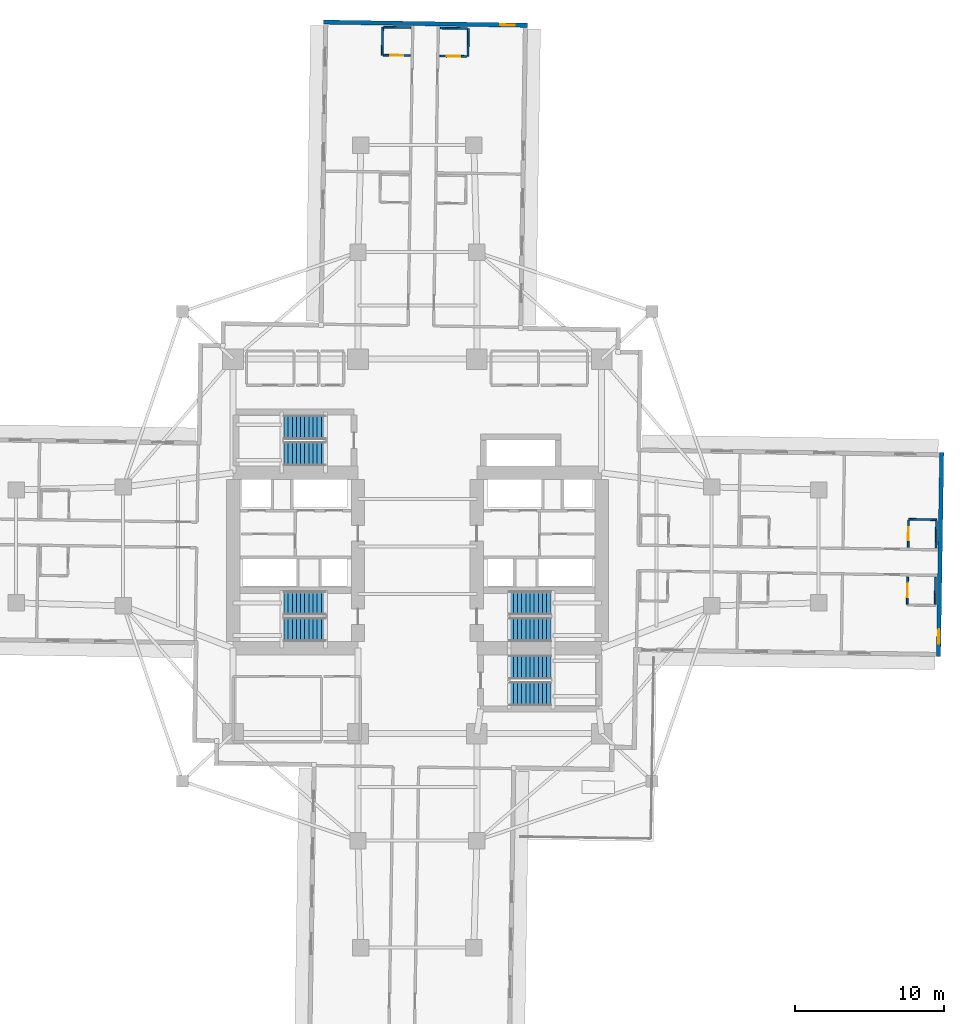
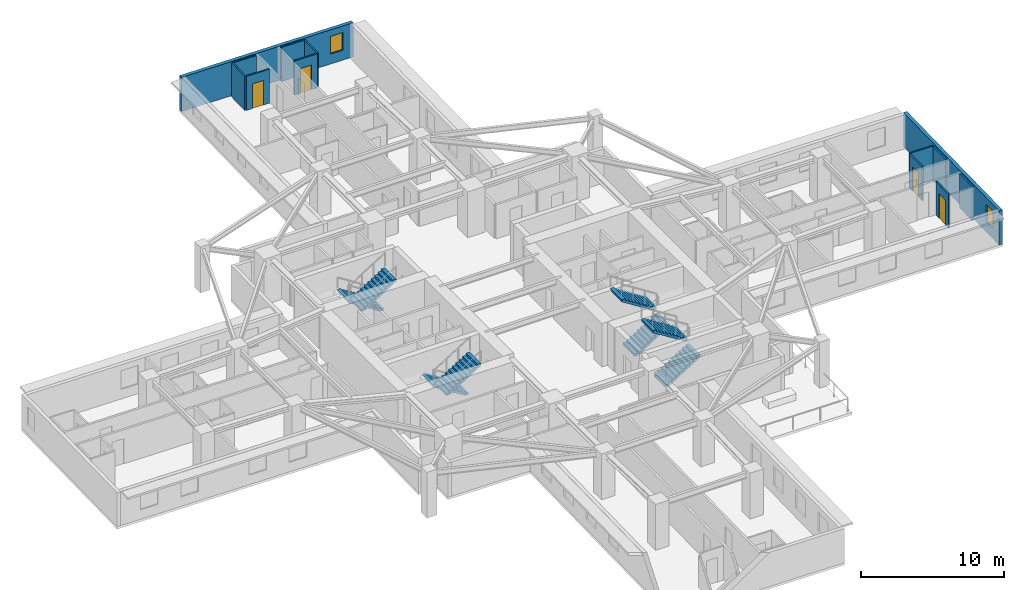
# One storey, part 8 of 13: 13 walls, 8 stair flights, 4 doors, 2 windows, 6 openings, 4 elements without a shape of their own.
"""IFC4 building model written with IfcOpenShell, lengths in metres."""

from ifc_helpers import new_model, si_unit, direction, frame, frame_2d, origin, place, context, subcontext, project, spatial, polyline, rectangle, outline, extrude, material, layer, layer_set, type_object, element, fill, aggregate, save


model = new_model("IFC4")

# Units and contexts
model_context = context("Model", 3, precision=1e-05, world=origin(), true_north=direction((0.0, 1.0)))
body_context = subcontext(model_context, "Body", "Model", "MODEL_VIEW")
ifc_project = project(units=[si_unit("LENGTHUNIT", "METRE"), si_unit("AREAUNIT", "SQUARE_METRE"), si_unit("VOLUMEUNIT", "CUBIC_METRE"), si_unit("PLANEANGLEUNIT", "RADIAN"), si_unit("MASSUNIT", "GRAM", prefix="KILO")], contexts=[model_context])

# Site, building, storey
site_placement = place(None, origin())
site = spatial("IfcSite", under=ifc_project, at=site_placement, CompositionType="ELEMENT")
building_placement = place(site_placement, origin())
building = spatial("IfcBuilding", under=site, at=building_placement, Name="Qingluan Cross Belvedere", CompositionType="ELEMENT")
storey_placement = place(building_placement, frame((0.0, 0.0, 67.800048828125)))
storey = spatial("IfcBuildingStorey", under=building, at=storey_placement, Name="L17", CompositionType="ELEMENT", Elevation=67.800048828125)

# Wall, opening, door
ifc_material_1 = material(Name="Moisture-resistant gypsum board lining")
ifc_layer_1 = layer(ifc_material_1, 0.1201171875, Name="EnsuiteWetPartition_120")
ifc_layer_set_1 = layer_set([ifc_layer_1], Name="Moisture-resistant gypsum board lining")
wall_type_1 = type_object("IfcWallType", Name="EnsuiteWetPartition_120", PredefinedType="PARTITIONING", material=ifc_layer_set_1)
wall_1_placement = place(storey_placement, frame((33.023193359375, -0.05859375, 0.0), z_axis=(0.0, 0.0, 1.0), x_axis=(0.015696442504, 0.999876803258, 0.0)))
wall_1 = element("IfcWall", 1, at=wall_1_placement, inside=storey, type_object=wall_type_1, Name="Partition L17:E:bs0_2", PredefinedType="PARTITIONING", context=body_context, shape_type="SweptSolid", body=[
    extrude(rectangle(XDim=1.81982421875, YDim=0.1201171875, at=frame_2d((0.909912109375, 0.0))), origin(), (0.0, 0.0, 1.0), 2.89990234375),
])
opening_1_placement = place(wall_1_placement, frame((0.469970703125, 0.0, 0.0)))
opening_1 = element("IfcOpeningElement", 2, at=opening_1_placement, cuts=wall_1, Name="Opening BD-09", PredefinedType="OPENING", context=body_context, shape_type="SweptSolid", body=[
    extrude(rectangle(XDim=0.8798828125, YDim=2.10009765625, at=frame_2d((0.43994140625, 1.050048828125))), frame((0.0, 0.070068359375, 0.0), z_axis=(0.0, -1.0, 0.0), x_axis=(1.0, 0.0, 0.0)), (0.0, 0.0, 1.0), 0.14013671875),
])
ifc_material_2 = material(Name="Moisture-sealed timber en-suite door", Category="wood")
door_type = type_object("IfcDoorType", Name="BathroomDoor_880", OperationType="NOTDEFINED", PredefinedType="DOOR", material=ifc_material_2)
door_1_placement = place(opening_1_placement, origin())
door_1 = element("IfcDoor", 3, at=door_1_placement, inside=storey, type_object=door_type, Name="Bathroom door 1703", OperationType="SINGLE_SWING_RIGHT", OverallHeight=2.10009765625, OverallWidth=0.8798828125, PredefinedType="DOOR", context=body_context, shape_type="SweptSolid", body=[
    extrude(rectangle(XDim=0.8798828125, YDim=2.10009765625, at=frame_2d((0.43994140625, 1.050048828125))), frame((0.0, 0.02490234375, 0.0), z_axis=(0.0, -1.0, 0.0), x_axis=(1.0, 0.0, 0.0)), (0.0, 0.0, 1.0), 0.050048828125),
])
fill(opening_1, door_1)

# Walls
wall_2_placement = place(storey_placement, frame((34.90283203125, -0.088134765625, 0.0), z_axis=(0.0, 0.0, 1.0), x_axis=(0.015696442504, 0.999876803258, 0.0)))
element("IfcWall", 4, at=wall_2_placement, inside=storey, type_object=wall_type_1, Name="Partition L17:E:bw0_2", PredefinedType="PARTITIONING", context=body_context, shape_type="SweptSolid", body=[
    extrude(rectangle(XDim=1.81982421875, YDim=0.1201171875, at=frame_2d((0.909912109375, 0.0))), origin(), (0.0, 0.0, 1.0), 2.89990234375),
])
wall_3_placement = place(storey_placement, frame((33.052734375, 1.826171875, 0.0), z_axis=(0.0, 0.0, 1.0), x_axis=(0.99987450499, -0.015842167482, 0.0)))
element("IfcWall", 5, at=wall_3_placement, inside=storey, type_object=wall_type_1, Name="Partition L17:E:bn0_2", PredefinedType="PARTITIONING", context=body_context, shape_type="SweptSolid", body=[
    extrude(rectangle(XDim=1.880126953125, YDim=0.1201171875, at=frame_2d((0.93994140625, 0.0))), origin(), (0.0, 0.0, 1.0), 2.89990234375),
])

# Wall, opening, door
wall_4_placement = place(storey_placement, frame((32.963134765625, -3.878173828125, 0.0), z_axis=(0.0, 0.0, 1.0), x_axis=(0.015696442504, 0.999876803258, 0.0)))
wall_4 = element("IfcWall", 6, at=wall_4_placement, inside=storey, type_object=wall_type_1, Name="Partition L17:E:bs1_2", PredefinedType="PARTITIONING", context=body_context, shape_type="SweptSolid", body=[
    extrude(rectangle(XDim=1.81982421875, YDim=0.1201171875, at=frame_2d((0.909912109375, 0.0))), origin(), (0.0, 0.0, 1.0), 2.89990234375),
])
opening_2_placement = place(wall_4_placement, frame((0.469970703125, 0.0, 0.0)))
opening_2 = element("IfcOpeningElement", 7, at=opening_2_placement, cuts=wall_4, Name="Opening BD-09", PredefinedType="OPENING", context=body_context, shape_type="SweptSolid", body=[
    extrude(rectangle(XDim=0.8798828125, YDim=2.10009765625, at=frame_2d((0.43994140625, 1.050048828125))), frame((0.0, 0.070068359375, 0.0), z_axis=(0.0, -1.0, 0.0), x_axis=(1.0, 0.0, 0.0)), (0.0, 0.0, 1.0), 0.14013671875),
])
door_2_placement = place(opening_2_placement, origin())
door_2 = element("IfcDoor", 8, at=door_2_placement, inside=storey, type_object=door_type, Name="Bathroom door 1706", OperationType="SINGLE_SWING_RIGHT", OverallHeight=2.10009765625, OverallWidth=0.8798828125, PredefinedType="DOOR", context=body_context, shape_type="SweptSolid", body=[
    extrude(rectangle(XDim=0.8798828125, YDim=2.10009765625, at=frame_2d((0.43994140625, 1.050048828125))), frame((0.0, 0.02490234375, 0.0), z_axis=(0.0, -1.0, 0.0), x_axis=(1.0, 0.0, 0.0)), (0.0, 0.0, 1.0), 0.050048828125),
])
fill(opening_2, door_2)

# Wall
wall_5_placement = place(storey_placement, frame((34.843017578125, -3.90771484375, 0.0), z_axis=(0.0, 0.0, 1.0), x_axis=(0.015694337248, 0.999876836305, 0.0)))
element("IfcWall", 9, at=wall_5_placement, inside=storey, type_object=wall_type_1, Name="Partition L17:E:bw1_2", PredefinedType="PARTITIONING", context=body_context, shape_type="SweptSolid", body=[
    extrude(rectangle(XDim=1.820068359375, YDim=0.1201171875, at=frame_2d((0.91015625, 0.0))), origin(), (0.0, 0.0, 1.0), 2.89990234375),
])

# Wall, opening, door
wall_6_placement = place(storey_placement, frame((1.5185546875, 33.000244140625, 0.0), z_axis=(0.0, 0.0, 1.0), x_axis=(0.999876836305, -0.015694337248, 0.0)))
wall_6 = element("IfcWall", 10, at=wall_6_placement, inside=storey, type_object=wall_type_1, Name="Partition L17:N:bs0_1", PredefinedType="PARTITIONING", context=body_context, shape_type="SweptSolid", body=[
    extrude(rectangle(XDim=1.820068359375, YDim=0.1201171875, at=frame_2d((0.91015625, 0.0))), origin(), (0.0, 0.0, 1.0), 2.89990234375),
])
opening_3_placement = place(wall_6_placement, frame((0.469970703125, 0.0, 0.0)))
opening_3 = element("IfcOpeningElement", 11, at=opening_3_placement, cuts=wall_6, Name="Opening BD-09", PredefinedType="OPENING", context=body_context, shape_type="SweptSolid", body=[
    extrude(rectangle(XDim=0.8798828125, YDim=2.10009765625, at=frame_2d((0.43994140625, 1.050048828125))), frame((0.0, 0.070068359375, 0.0), z_axis=(0.0, -1.0, 0.0), x_axis=(1.0, 0.0, 0.0)), (0.0, 0.0, 1.0), 0.14013671875),
])
door_3_placement = place(opening_3_placement, origin())
door_3 = element("IfcDoor", 12, at=door_3_placement, inside=storey, type_object=door_type, Name="Bathroom door 1712", OperationType="SINGLE_SWING_RIGHT", OverallHeight=2.10009765625, OverallWidth=0.8798828125, PredefinedType="DOOR", context=body_context, shape_type="SweptSolid", body=[
    extrude(rectangle(XDim=0.8798828125, YDim=2.10009765625, at=frame_2d((0.43994140625, 1.050048828125))), frame((0.0, 0.02490234375, 0.0), z_axis=(0.0, -1.0, 0.0), x_axis=(1.0, 0.0, 0.0)), (0.0, 0.0, 1.0), 0.050048828125),
])
fill(opening_3, door_3)

# Walls
wall_7_placement = place(storey_placement, frame((1.548095703125, 34.8798828125, 0.0), z_axis=(0.0, 0.0, 1.0), x_axis=(0.999876836305, -0.015694337248, 0.0)))
element("IfcWall", 13, at=wall_7_placement, inside=storey, type_object=wall_type_1, Name="Partition L17:N:bw0_1", PredefinedType="PARTITIONING", context=body_context, shape_type="SweptSolid", body=[
    extrude(rectangle(XDim=1.820068359375, YDim=0.1201171875, at=frame_2d((0.91015625, 0.0))), origin(), (0.0, 0.0, 1.0), 2.89990234375),
])
wall_8_placement = place(storey_placement, frame((3.4033203125, 32.970703125, 0.0), z_axis=(0.0, 0.0, 1.0), x_axis=(0.015714386166, 0.99987652141, 0.0)))
element("IfcWall", 14, at=wall_8_placement, inside=storey, type_object=wall_type_1, Name="Partition L17:N:bn0_1", PredefinedType="PARTITIONING", context=body_context, shape_type="SweptSolid", body=[
    extrude(rectangle(XDim=1.8798828125, YDim=0.1201171875, at=frame_2d((0.93994140625, 0.0))), origin(), (0.0, 0.0, 1.0), 2.89990234375),
])

# Wall, opening, door
wall_9_placement = place(storey_placement, frame((-2.301025390625, 33.060302734375, 0.0), z_axis=(0.0, 0.0, 1.0), x_axis=(0.999874722342, -0.015828443418, 0.0)))
wall_9 = element("IfcWall", 15, at=wall_9_placement, inside=storey, type_object=wall_type_1, Name="Partition L17:N:bs1_1", PredefinedType="PARTITIONING", context=body_context, shape_type="SweptSolid", body=[
    extrude(rectangle(XDim=1.820068359375, YDim=0.1201171875, at=frame_2d((0.91015625, 0.0))), origin(), (0.0, 0.0, 1.0), 2.89990234375),
])
opening_4_placement = place(wall_9_placement, frame((0.469970703125, 0.0, 0.0)))
opening_4 = element("IfcOpeningElement", 16, at=opening_4_placement, cuts=wall_9, Name="Opening BD-09", PredefinedType="OPENING", context=body_context, shape_type="SweptSolid", body=[
    extrude(rectangle(XDim=0.8798828125, YDim=2.10009765625, at=frame_2d((0.43994140625, 1.050048828125))), frame((0.0, 0.070068359375, 0.0), z_axis=(0.0, -1.0, 0.0), x_axis=(1.0, 0.0, 0.0)), (0.0, 0.0, 1.0), 0.14013671875),
])
door_4_placement = place(opening_4_placement, origin())
door_4 = element("IfcDoor", 17, at=door_4_placement, inside=storey, type_object=door_type, Name="Bathroom door 1714", OperationType="SINGLE_SWING_RIGHT", OverallHeight=2.10009765625, OverallWidth=0.8798828125, PredefinedType="DOOR", context=body_context, shape_type="SweptSolid", body=[
    extrude(rectangle(XDim=0.8798828125, YDim=2.10009765625, at=frame_2d((0.43994140625, 1.050048828125))), frame((0.0, 0.02490234375, 0.0), z_axis=(0.0, -1.0, 0.0), x_axis=(1.0, 0.0, 0.0)), (0.0, 0.0, 1.0), 0.050048828125),
])
fill(opening_4, door_4)

# Walls
wall_10_placement = place(storey_placement, frame((-2.271484375, 34.93994140625, 0.0), z_axis=(0.0, 0.0, 1.0), x_axis=(0.999876836305, -0.015694337248, 0.0)))
element("IfcWall", 18, at=wall_10_placement, inside=storey, type_object=wall_type_1, Name="Partition L17:N:bw1_1", PredefinedType="PARTITIONING", context=body_context, shape_type="SweptSolid", body=[
    extrude(rectangle(XDim=1.820068359375, YDim=0.1201171875, at=frame_2d((0.91015625, 0.0))), origin(), (0.0, 0.0, 1.0), 2.89990234375),
])
wall_11_placement = place(storey_placement, frame((-2.365966796875, 33.061279296875, 0.0), z_axis=(0.0, 0.0, 1.0), x_axis=(0.015714386166, 0.99987652141, 0.0)))
element("IfcWall", 19, at=wall_11_placement, inside=storey, type_object=wall_type_1, Name="Partition L17:N:bc1_1", PredefinedType="PARTITIONING", context=body_context, shape_type="SweptSolid", body=[
    extrude(rectangle(XDim=1.8798828125, YDim=0.1201171875, at=frame_2d((0.93994140625, 0.0))), origin(), (0.0, 0.0, 1.0), 2.89990234375),
])

# Wall, opening, window
ifc_material_3 = material(Name="Precast concrete C45", Category="concrete")
ifc_layer_2 = layer(ifc_material_3, 0.280029296875, Name="PrecastFacadeWall_280")
ifc_layer_set_2 = layer_set([ifc_layer_2], Name="Precast concrete C45")
wall_type_2 = type_object("IfcWallType", Name="PrecastFacadeWall_280", PredefinedType="STANDARD", material=ifc_layer_set_2)
wall_12_placement = place(storey_placement, frame((35.06787109375, -7.41162109375, 0.0), z_axis=(0.0, 0.0, 1.0), x_axis=(0.015712599986, 0.999876549481, 0.0)))
wall_12 = element("IfcWall", 20, at=wall_12_placement, inside=storey, type_object=wall_type_2, Name="Arm tip precast facade wall L17-E", PredefinedType="STANDARD", context=body_context, shape_type="SweptSolid", body=[
    extrude(rectangle(XDim=13.719970703125, YDim=0.280029296875, at=frame_2d((6.85986328125, 0.0))), origin(), (0.0, 0.0, 1.0), 2.909912109375),
])
opening_5_placement = place(wall_12_placement, frame((0.85009765625, 0.0, 0.85009765625)))
opening_5 = element("IfcOpeningElement", 21, at=opening_5_placement, cuts=wall_12, Name="Opening W-03", PredefinedType="OPENING", context=body_context, shape_type="SweptSolid", body=[
    extrude(rectangle(XDim=1.0, YDim=1.5, at=frame_2d((0.5, 0.75))), frame((0.0, 0.14990234375, 0.0), z_axis=(0.0, -1.0, 0.0), x_axis=(1.0, 0.0, 0.0)), (0.0, 0.0, 1.0), 0.300048828125),
])
ifc_material_4 = material(Name="Thermally broken triple Low-E glass in aluminium frame", Category="aluminium")
window_type = type_object("IfcWindowType", Name="TriApexWin_1000x1500", PartitioningType="SINGLE_PANEL", PredefinedType="WINDOW", material=ifc_material_4)
window_1_placement = place(opening_5_placement, origin())
window_1 = element("IfcWindow", 22, at=window_1_placement, inside=storey, type_object=window_type, Name="Arm tip triangular window L17-E", OverallHeight=1.5, OverallWidth=1.0, PartitioningType="SINGLE_PANEL", PredefinedType="WINDOW", context=body_context, shape_type="SweptSolid", body=[
    extrude(rectangle(XDim=1.0, YDim=1.5, at=frame_2d((0.5, 0.75))), frame((0.0, 0.030029296875, 0.0), z_axis=(0.0, -1.0, 0.0), x_axis=(1.0, 0.0, 0.0)), (0.0, 0.0, 1.0), 0.06005859375),
])
fill(opening_5, window_1)

wall_13_placement = place(storey_placement, frame((7.41162109375, 35.06787109375, 0.0), z_axis=(0.0, 0.0, 1.0), x_axis=(-0.999876549481, 0.015712599986, 0.0)))
wall_13 = element("IfcWall", 23, at=wall_13_placement, inside=storey, type_object=wall_type_2, Name="Arm tip precast facade wall L17-N", PredefinedType="STANDARD", context=body_context, shape_type="SweptSolid", body=[
    extrude(rectangle(XDim=13.719970703125, YDim=0.280029296875, at=frame_2d((6.85986328125, 0.0))), origin(), (0.0, 0.0, 1.0), 2.909912109375),
])
opening_6_placement = place(wall_13_placement, frame((0.85009765625, 0.0, 0.85009765625)))
opening_6 = element("IfcOpeningElement", 24, at=opening_6_placement, cuts=wall_13, Name="Opening W-03", PredefinedType="OPENING", context=body_context, shape_type="SweptSolid", body=[
    extrude(rectangle(XDim=1.0, YDim=1.5, at=frame_2d((0.5, 0.75))), frame((0.0, 0.14990234375, 0.0), z_axis=(0.0, -1.0, 0.0), x_axis=(1.0, 0.0, 0.0)), (0.0, 0.0, 1.0), 0.300048828125),
])
window_2_placement = place(opening_6_placement, origin())
window_2 = element("IfcWindow", 25, at=window_2_placement, inside=storey, type_object=window_type, Name="Arm tip triangular window L17-N", OverallHeight=1.5, OverallWidth=1.0, PartitioningType="SINGLE_PANEL", PredefinedType="WINDOW", context=body_context, shape_type="SweptSolid", body=[
    extrude(rectangle(XDim=1.0, YDim=1.5, at=frame_2d((0.5, 0.75))), frame((0.0, 0.030029296875, 0.0), z_axis=(0.0, -1.0, 0.0), x_axis=(1.0, 0.0, 0.0)), (0.0, 0.0, 1.0), 0.06005859375),
])
fill(opening_6, window_2)

# Stair, stair flights
ifc_material_5 = material(Name="Concrete C40", Category="concrete")
stair_type = type_object("IfcStairType", Name="CoreDoglegStair_1620", PredefinedType="HALF_TURN_STAIR", material=ifc_material_5)
stair_1_placement = place(storey_placement, origin())
stair_1 = element("IfcStair", 26, at=stair_1_placement, inside=storey, type_object=stair_type, Name="L17 ST1", PredefinedType="HALF_TURN_STAIR")
ifc_material_6 = material(Name="Concrete C40", Category="concrete")
ifc_layer_3 = layer(ifc_material_6, 0.179931640625, Name="StairFlight_RC180")
ifc_layer_set_3 = layer_set([ifc_layer_3], Name="Concrete C40")
stair_flight_type = type_object("IfcStairFlightType", Name="StairFlight_RC180", PredefinedType="STRAIGHT", material=ifc_layer_set_3)
stair_flight_1_placement = place(storey_placement, frame((-6.179931640625, -3.81005859375, 0.0), z_axis=(0.0, 0.0, 1.0), x_axis=(-1.0, 0.0, 0.0)))
stair_flight_1 = element("IfcStairFlight", 27, at=stair_flight_1_placement, type_object=stair_flight_type, Name="ST1 flight 1", NumberOfRisers=11, NumberOfTreads=10, PredefinedType="STRAIGHT", RiserHeight=0.177272727, TreadLength=0.28, context=body_context, shape_type="SweptSolid", body=[
    extrude(outline(polyline([(0.0, 0.0), (0.0, 0.17724609375), (0.280029296875, 0.17724609375), (0.280029296875, 0.3544921875), (0.56005859375, 0.3544921875), (0.56005859375, 0.53173828125), (0.840087890625, 0.53173828125), (0.840087890625, 0.708984375), (1.1201171875, 0.708984375), (1.1201171875, 0.886474609375), (1.39990234375, 0.886474609375), (1.39990234375, 1.063720703125), (1.679931640625, 1.063720703125), (1.679931640625, 1.240966796875), (1.9599609375, 1.240966796875), (1.9599609375, 1.418212890625), (2.239990234375, 1.418212890625), (2.239990234375, 1.595458984375), (2.52001953125, 1.595458984375), (2.52001953125, 1.772705078125), (2.800048828125, 1.772705078125), (2.800048828125, 1.949951171875), (2.800048828125, 1.59521484375), (0.2802734375, 0.0), (0.0, 0.0)])), frame((0.0, 0.81005859375, 0.0), z_axis=(0.0, -1.0, 0.0), x_axis=(1.0, 0.0, 0.0)), (0.0, 0.0, 1.0), 1.6201171875),
])
stair_flight_2_placement = place(storey_placement, frame((-8.97998046875, -5.590087890625, 1.949951171875), z_axis=(0.0, 0.0, 1.0), x_axis=(1.0, 0.0, 0.0)))
stair_flight_2 = element("IfcStairFlight", 28, at=stair_flight_2_placement, type_object=stair_flight_type, Name="ST1 flight 2", NumberOfRisers=11, NumberOfTreads=10, PredefinedType="STRAIGHT", RiserHeight=0.177272727, TreadLength=0.28, context=body_context, shape_type="SweptSolid", body=[
    extrude(outline(polyline([(0.0, 0.0), (0.0, 0.17724609375), (0.280029296875, 0.17724609375), (0.280029296875, 0.3544921875), (0.56005859375, 0.3544921875), (0.56005859375, 0.53173828125), (0.840087890625, 0.53173828125), (0.840087890625, 0.708984375), (1.1201171875, 0.708984375), (1.1201171875, 0.886474609375), (1.39990234375, 0.886474609375), (1.39990234375, 1.063720703125), (1.679931640625, 1.063720703125), (1.679931640625, 1.240966796875), (1.9599609375, 1.240966796875), (1.9599609375, 1.418212890625), (2.239990234375, 1.418212890625), (2.239990234375, 1.595458984375), (2.52001953125, 1.595458984375), (2.52001953125, 1.772705078125), (2.800048828125, 1.772705078125), (2.800048828125, 1.949951171875), (2.800048828125, 1.59521484375), (0.2802734375, 0.0), (0.0, 0.0)])), frame((0.0, 0.81005859375, 0.0), z_axis=(0.0, -1.0, 0.0), x_axis=(1.0, 0.0, 0.0)), (0.0, 0.0, 1.0), 1.6201171875),
])
aggregate(stair_1, [stair_flight_1, stair_flight_2])

stair_2_placement = place(storey_placement, origin())
stair_2 = element("IfcStair", 29, at=stair_2_placement, inside=storey, type_object=stair_type, Name="L17 ST2", PredefinedType="HALF_TURN_STAIR")
stair_flight_3_placement = place(storey_placement, frame((6.179931640625, -5.590087890625, 0.0), z_axis=(0.0, 0.0, 1.0), x_axis=(1.0, 0.0, 0.0)))
stair_flight_3 = element("IfcStairFlight", 30, at=stair_flight_3_placement, type_object=stair_flight_type, Name="ST2 flight 1", NumberOfRisers=11, NumberOfTreads=10, PredefinedType="STRAIGHT", RiserHeight=0.177272727, TreadLength=0.28, context=body_context, shape_type="SweptSolid", body=[
    extrude(outline(polyline([(0.0, 0.0), (0.0, 0.17724609375), (0.280029296875, 0.17724609375), (0.280029296875, 0.3544921875), (0.56005859375, 0.3544921875), (0.56005859375, 0.53173828125), (0.840087890625, 0.53173828125), (0.840087890625, 0.708984375), (1.1201171875, 0.708984375), (1.1201171875, 0.886474609375), (1.39990234375, 0.886474609375), (1.39990234375, 1.063720703125), (1.679931640625, 1.063720703125), (1.679931640625, 1.240966796875), (1.9599609375, 1.240966796875), (1.9599609375, 1.418212890625), (2.239990234375, 1.418212890625), (2.239990234375, 1.595458984375), (2.52001953125, 1.595458984375), (2.52001953125, 1.772705078125), (2.800048828125, 1.772705078125), (2.800048828125, 1.949951171875), (2.800048828125, 1.59521484375), (0.2802734375, 0.0), (0.0, 0.0)])), frame((0.0, 0.81005859375, 0.0), z_axis=(0.0, -1.0, 0.0), x_axis=(1.0, 0.0, 0.0)), (0.0, 0.0, 1.0), 1.6201171875),
])
stair_flight_4_placement = place(storey_placement, frame((8.97998046875, -3.81005859375, 1.949951171875), z_axis=(0.0, 0.0, 1.0), x_axis=(-1.0, 0.0, 0.0)))
stair_flight_4 = element("IfcStairFlight", 31, at=stair_flight_4_placement, type_object=stair_flight_type, Name="ST2 flight 2", NumberOfRisers=11, NumberOfTreads=10, PredefinedType="STRAIGHT", RiserHeight=0.177272727, TreadLength=0.28, context=body_context, shape_type="SweptSolid", body=[
    extrude(outline(polyline([(0.0, 0.0), (0.0, 0.17724609375), (0.280029296875, 0.17724609375), (0.280029296875, 0.3544921875), (0.56005859375, 0.3544921875), (0.56005859375, 0.53173828125), (0.840087890625, 0.53173828125), (0.840087890625, 0.708984375), (1.1201171875, 0.708984375), (1.1201171875, 0.886474609375), (1.39990234375, 0.886474609375), (1.39990234375, 1.063720703125), (1.679931640625, 1.063720703125), (1.679931640625, 1.240966796875), (1.9599609375, 1.240966796875), (1.9599609375, 1.418212890625), (2.239990234375, 1.418212890625), (2.239990234375, 1.595458984375), (2.52001953125, 1.595458984375), (2.52001953125, 1.772705078125), (2.800048828125, 1.772705078125), (2.800048828125, 1.949951171875), (2.800048828125, 1.59521484375), (0.2802734375, 0.0), (0.0, 0.0)])), frame((0.0, 0.81005859375, 0.0), z_axis=(0.0, -1.0, 0.0), x_axis=(1.0, 0.0, 0.0)), (0.0, 0.0, 1.0), 1.6201171875),
])
aggregate(stair_2, [stair_flight_3, stair_flight_4])

stair_3_placement = place(storey_placement, origin())
stair_3 = element("IfcStair", 32, at=stair_3_placement, inside=storey, type_object=stair_type, Name="L17 ST3", PredefinedType="HALF_TURN_STAIR")
stair_flight_5_placement = place(storey_placement, frame((-6.179931640625, 8.010009765625, 0.0), z_axis=(0.0, 0.0, 1.0), x_axis=(-1.0, 0.0, 0.0)))
stair_flight_5 = element("IfcStairFlight", 33, at=stair_flight_5_placement, type_object=stair_flight_type, Name="ST3 flight 1", NumberOfRisers=11, NumberOfTreads=10, PredefinedType="STRAIGHT", RiserHeight=0.177272727, TreadLength=0.28, context=body_context, shape_type="SweptSolid", body=[
    extrude(outline(polyline([(0.0, 0.0), (0.0, 0.17724609375), (0.280029296875, 0.17724609375), (0.280029296875, 0.3544921875), (0.56005859375, 0.3544921875), (0.56005859375, 0.53173828125), (0.840087890625, 0.53173828125), (0.840087890625, 0.708984375), (1.1201171875, 0.708984375), (1.1201171875, 0.886474609375), (1.39990234375, 0.886474609375), (1.39990234375, 1.063720703125), (1.679931640625, 1.063720703125), (1.679931640625, 1.240966796875), (1.9599609375, 1.240966796875), (1.9599609375, 1.418212890625), (2.239990234375, 1.418212890625), (2.239990234375, 1.595458984375), (2.52001953125, 1.595458984375), (2.52001953125, 1.772705078125), (2.800048828125, 1.772705078125), (2.800048828125, 1.949951171875), (2.800048828125, 1.59521484375), (0.2802734375, 0.0), (0.0, 0.0)])), frame((0.0, 0.81005859375, 0.0), z_axis=(0.0, -1.0, 0.0), x_axis=(1.0, 0.0, 0.0)), (0.0, 0.0, 1.0), 1.6201171875),
])
stair_flight_6_placement = place(storey_placement, frame((-8.97998046875, 6.22998046875, 1.949951171875), z_axis=(0.0, 0.0, 1.0), x_axis=(1.0, 0.0, 0.0)))
stair_flight_6 = element("IfcStairFlight", 34, at=stair_flight_6_placement, type_object=stair_flight_type, Name="ST3 flight 2", NumberOfRisers=11, NumberOfTreads=10, PredefinedType="STRAIGHT", RiserHeight=0.177272727, TreadLength=0.28, context=body_context, shape_type="SweptSolid", body=[
    extrude(outline(polyline([(0.0, 0.0), (0.0, 0.17724609375), (0.280029296875, 0.17724609375), (0.280029296875, 0.3544921875), (0.56005859375, 0.3544921875), (0.56005859375, 0.53173828125), (0.840087890625, 0.53173828125), (0.840087890625, 0.708984375), (1.1201171875, 0.708984375), (1.1201171875, 0.886474609375), (1.39990234375, 0.886474609375), (1.39990234375, 1.063720703125), (1.679931640625, 1.063720703125), (1.679931640625, 1.240966796875), (1.9599609375, 1.240966796875), (1.9599609375, 1.418212890625), (2.239990234375, 1.418212890625), (2.239990234375, 1.595458984375), (2.52001953125, 1.595458984375), (2.52001953125, 1.772705078125), (2.800048828125, 1.772705078125), (2.800048828125, 1.949951171875), (2.800048828125, 1.59521484375), (0.2802734375, 0.0), (0.0, 0.0)])), frame((0.0, 0.81005859375, 0.0), z_axis=(0.0, -1.0, 0.0), x_axis=(1.0, 0.0, 0.0)), (0.0, 0.0, 1.0), 1.6201171875),
])
aggregate(stair_3, [stair_flight_5, stair_flight_6])

stair_4_placement = place(storey_placement, origin())
stair_4 = element("IfcStair", 35, at=stair_4_placement, inside=storey, type_object=stair_type, Name="L17 ST4", PredefinedType="HALF_TURN_STAIR")
stair_flight_7_placement = place(storey_placement, frame((6.179931640625, -9.909912109375, 0.0), z_axis=(0.0, 0.0, 1.0), x_axis=(1.0, 0.0, 0.0)))
stair_flight_7 = element("IfcStairFlight", 36, at=stair_flight_7_placement, type_object=stair_flight_type, Name="ST4 flight 1", NumberOfRisers=11, NumberOfTreads=10, PredefinedType="STRAIGHT", RiserHeight=0.177272727, TreadLength=0.28, context=body_context, shape_type="SweptSolid", body=[
    extrude(outline(polyline([(0.0, 0.0), (0.0, 0.17724609375), (0.280029296875, 0.17724609375), (0.280029296875, 0.3544921875), (0.56005859375, 0.3544921875), (0.56005859375, 0.53173828125), (0.840087890625, 0.53173828125), (0.840087890625, 0.708984375), (1.1201171875, 0.708984375), (1.1201171875, 0.886474609375), (1.39990234375, 0.886474609375), (1.39990234375, 1.063720703125), (1.679931640625, 1.063720703125), (1.679931640625, 1.240966796875), (1.9599609375, 1.240966796875), (1.9599609375, 1.418212890625), (2.239990234375, 1.418212890625), (2.239990234375, 1.595458984375), (2.52001953125, 1.595458984375), (2.52001953125, 1.772705078125), (2.800048828125, 1.772705078125), (2.800048828125, 1.949951171875), (2.800048828125, 1.59521484375), (0.2802734375, 0.0), (0.0, 0.0)])), frame((0.0, 0.81005859375, 0.0), z_axis=(0.0, -1.0, 0.0), x_axis=(1.0, 0.0, 0.0)), (0.0, 0.0, 1.0), 1.6201171875),
])
stair_flight_8_placement = place(storey_placement, frame((8.97998046875, -8.1298828125, 1.949951171875), z_axis=(0.0, 0.0, 1.0), x_axis=(-1.0, 0.0, 0.0)))
stair_flight_8 = element("IfcStairFlight", 37, at=stair_flight_8_placement, type_object=stair_flight_type, Name="ST4 flight 2", NumberOfRisers=11, NumberOfTreads=10, PredefinedType="STRAIGHT", RiserHeight=0.177272727, TreadLength=0.28, context=body_context, shape_type="SweptSolid", body=[
    extrude(outline(polyline([(0.0, 0.0), (0.0, 0.17724609375), (0.280029296875, 0.17724609375), (0.280029296875, 0.3544921875), (0.56005859375, 0.3544921875), (0.56005859375, 0.53173828125), (0.840087890625, 0.53173828125), (0.840087890625, 0.708984375), (1.1201171875, 0.708984375), (1.1201171875, 0.886474609375), (1.39990234375, 0.886474609375), (1.39990234375, 1.063720703125), (1.679931640625, 1.063720703125), (1.679931640625, 1.240966796875), (1.9599609375, 1.240966796875), (1.9599609375, 1.418212890625), (2.239990234375, 1.418212890625), (2.239990234375, 1.595458984375), (2.52001953125, 1.595458984375), (2.52001953125, 1.772705078125), (2.800048828125, 1.772705078125), (2.800048828125, 1.949951171875), (2.800048828125, 1.59521484375), (0.2802734375, 0.0), (0.0, 0.0)])), frame((0.0, 0.81005859375, 0.0), z_axis=(0.0, -1.0, 0.0), x_axis=(1.0, 0.0, 0.0)), (0.0, 0.0, 1.0), 1.6201171875),
])
aggregate(stair_4, [stair_flight_7, stair_flight_8])

save(model, "model.ifc")
